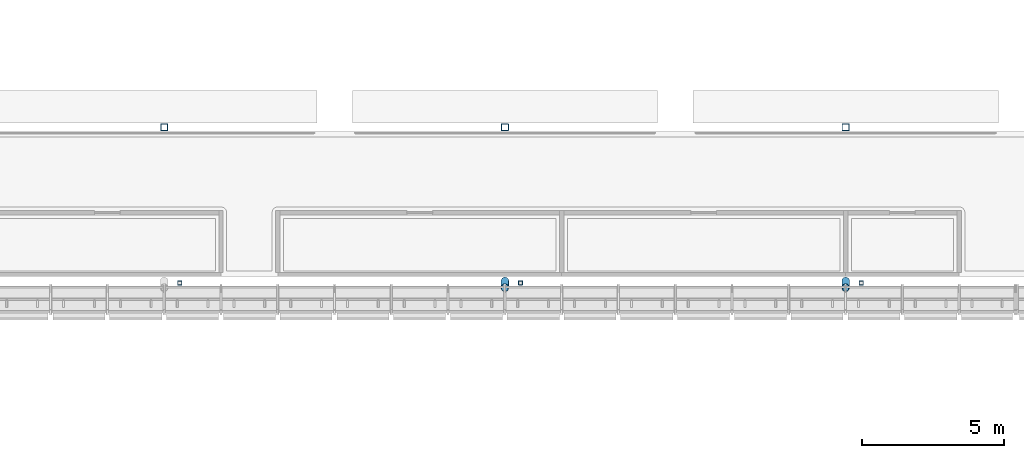
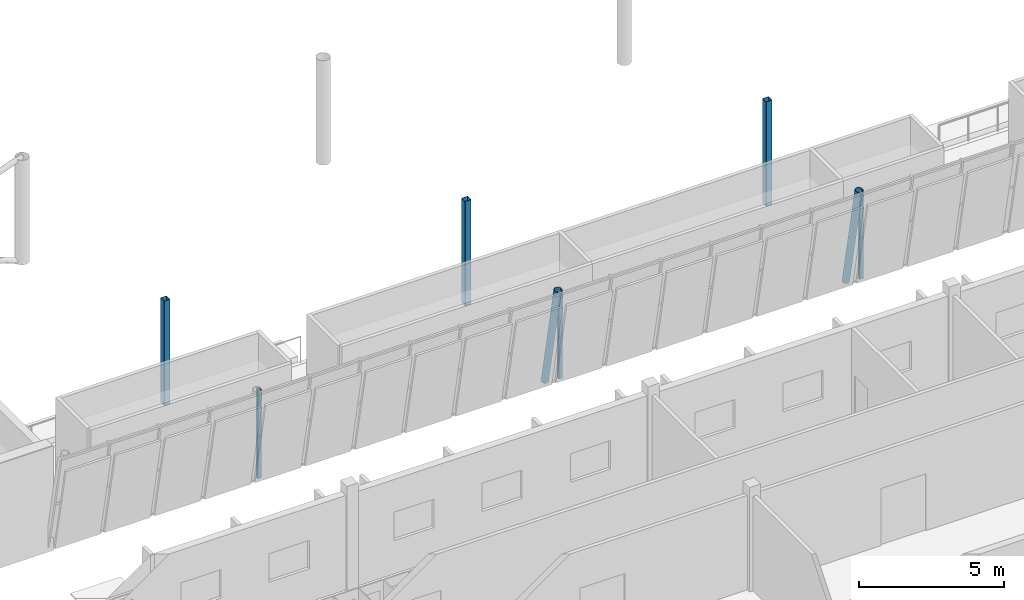
# One storey, part 5 of 115: 8 columns.
"""IFC4 building model written with IfcOpenShell, lengths in metres."""

from ifc_helpers import new_model, si_unit, direction, frame, origin, origin_2d, place, context, subcontext, project, spatial, hollow_rectangle, hollow_circle, extrude, material, material_profile, profile_set, type_object, element, save


model = new_model("IFC4")

# Units and contexts
model_context = context("Model", 3, precision=1e-05, world=origin(), true_north=direction((0.0, 1.0)))
body_context = subcontext(model_context, "Body", "Model", "MODEL_VIEW")
ifc_project = project(units=[si_unit("LENGTHUNIT", "METRE"), si_unit("AREAUNIT", "SQUARE_METRE"), si_unit("VOLUMEUNIT", "CUBIC_METRE"), si_unit("PLANEANGLEUNIT", "RADIAN"), si_unit("MASSUNIT", "GRAM", prefix="KILO")], contexts=[model_context])

# Site, building, storey
site_placement = place(None, origin())
site = spatial("IfcSite", under=ifc_project, at=site_placement, CompositionType="ELEMENT")
building_placement = place(site_placement, origin())
building = spatial("IfcBuilding", under=site, at=building_placement, Name="Windward Yard Aquatics Centre", CompositionType="ELEMENT")
storey_placement = place(building_placement, frame((0.0, 0.0, 5.0)))
storey = spatial("IfcBuildingStorey", under=building, at=storey_placement, Name="L01", CompositionType="ELEMENT", Elevation=5.0)

# Columns
ifc_material = material(Name="Steel ASTM A500 Gr C", Category="steel")
ifc_material_profile_1 = material_profile(ifc_material, hollow_rectangle(XDim=0.15234375, YDim=0.15234375, WallThickness=0.0126953125, InnerFilletRadius=0.00634765625, OuterFilletRadius=0.01904296875, at=origin_2d()), Name="HSS152X152X12.7")
ifc_profile_set_1 = profile_set([ifc_material_profile_1], Name="Steel ASTM A500 Gr C")
column_type_1 = type_object("IfcColumnType", Name="H gallery column HSS152X152X12.7", PredefinedType="COLUMN", material=ifc_profile_set_1)
for number, where, z_axis, x_axis, name in (
    (1, (72.550048828125, 26.22509765625, 0.0), (0.0, 0.0, 1.0), (1.0, 0.0, 0.0), "H.GC.S2.L01"),
    (2, (84.550048828125, 26.22509765625, 0.0), (0.0, 0.0, 1.0), (1.0, 0.0, 0.0), "H.GC.S3.L01"),
    (3, (96.550048828125, 26.22509765625, 0.0), (0.0, 0.0, 1.0), (1.0, 0.0, 0.0), "H.GC.S4.L01"),
):
    element("IfcColumn", number, at=place(storey_placement, frame(where, z_axis=z_axis, x_axis=x_axis)), inside=storey, type_object=column_type_1, Name=name, PredefinedType="COLUMN", context=body_context, shape_type="SweptSolid", body=[
        extrude(hollow_rectangle(XDim=0.15234375, YDim=0.15234375, WallThickness=0.0126953125, InnerFilletRadius=0.00634765625, OuterFilletRadius=0.01904296875, at=origin_2d()), origin(), (0.0, 0.0, 1.0), 3.742919921875),
    ])
ifc_material_profile_2 = material_profile(ifc_material, hollow_rectangle(XDim=0.25390625, YDim=0.25390625, WallThickness=0.015869140625, InnerFilletRadius=0.008056640625, OuterFilletRadius=0.02392578125, at=origin_2d()), Name="HSS254X254X15.9")
ifc_profile_set_2 = profile_set([ifc_material_profile_2], Name="Steel ASTM A500 Gr C")
column_type_2 = type_object("IfcColumnType", Name="H inner column HSS254X254X15.9", PredefinedType="COLUMN", material=ifc_profile_set_2)
for number, where, z_axis, x_axis, name in (
    (4, (72.0, 31.709716796875, 0.0), (0.0, 0.0, 1.0), (1.0, 0.0, 0.0), "H.IC.S2.L01"),
    (5, (84.0, 31.709716796875, 0.0), (0.0, 0.0, 1.0), (1.0, 0.0, 0.0), "H.IC.S3.L01"),
    (6, (96.0, 31.709716796875, 0.0), (0.0, 0.0, 1.0), (1.0, 0.0, 0.0), "H.IC.S4.L01"),
):
    element("IfcColumn", number, at=place(storey_placement, frame(where, z_axis=z_axis, x_axis=x_axis)), inside=storey, type_object=column_type_2, Name=name, PredefinedType="COLUMN", context=body_context, shape_type="SweptSolid", body=[
        extrude(hollow_rectangle(XDim=0.25390625, YDim=0.25390625, WallThickness=0.015869140625, InnerFilletRadius=0.008056640625, OuterFilletRadius=0.02392578125, at=origin_2d()), origin(), (0.0, 0.0, 1.0), 4.39990234375),
    ])
ifc_material_profile_3 = material_profile(ifc_material, hollow_circle(Radius=0.136474609375, WallThickness=0.0126953125, at=origin_2d()), Name="HSS273.1X12.7")
ifc_profile_set_3 = profile_set([ifc_material_profile_3], Name="Steel ASTM A500 Gr C")
column_type_3 = type_object("IfcColumnType", Name="H tier 1 leg HSS273.1X12.7", PredefinedType="COLUMN", material=ifc_profile_set_3)
for number, where, z_axis, x_axis, name in (
    (7, (84.0, 26.29443359375, 0.02734375), (0.0, -0.19937683017, 0.979922894717), (1.0, 0.0, 0.0), "H.TL.S3.T1A.L01"),
    (8, (96.0, 26.29443359375, 0.02734375), (0.0, -0.19937683017, 0.979922894717), (1.0, 0.0, 0.0), "H.TL.S4.T1A.L01"),
):
    element("IfcColumn", number, at=place(storey_placement, frame(where, z_axis=z_axis, x_axis=x_axis)), inside=storey, type_object=column_type_3, Name=name, PredefinedType="COLUMN", context=body_context, shape_type="SweptSolid", body=[
        extrude(hollow_circle(Radius=0.136474609375, WallThickness=0.0126953125, at=origin_2d()), origin(), (0.0, 0.0, 1.0), 4.462158203125),
    ])

save(model, "model.ifc")
